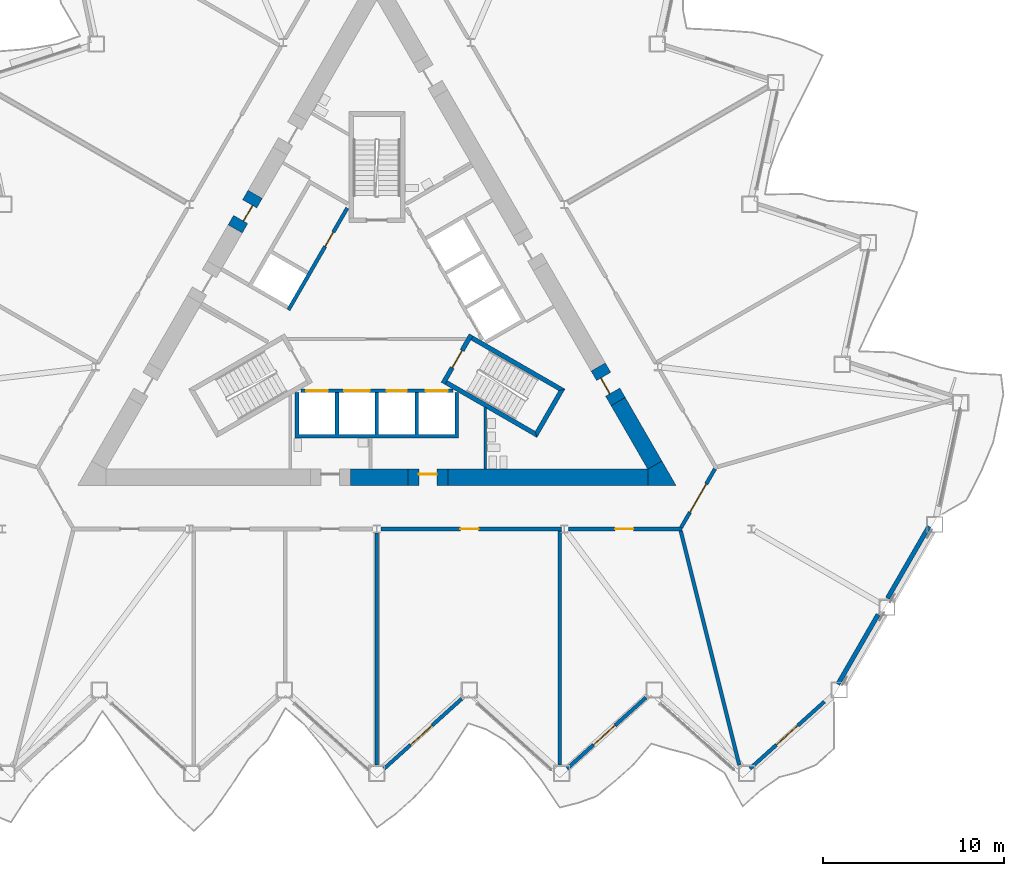
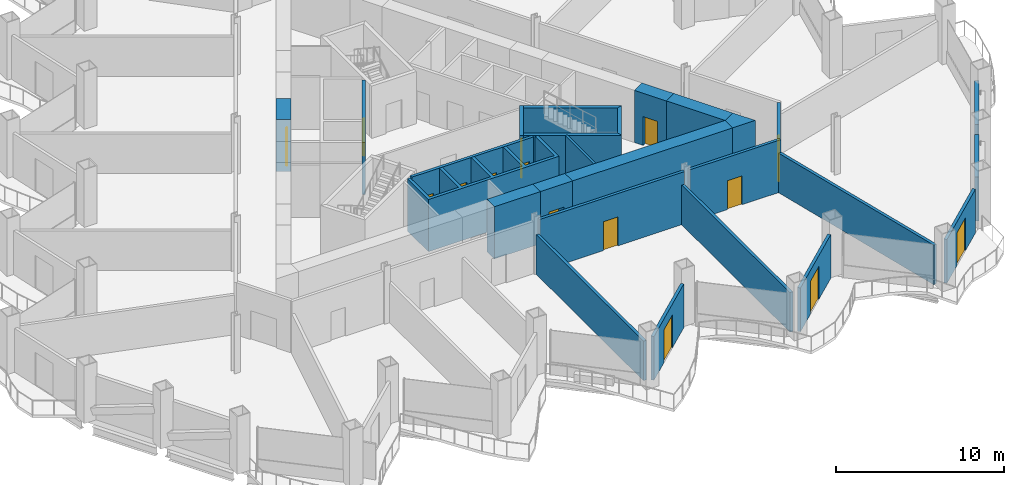
# One storey, part 11 of 21: 26 walls, 15 doors, 15 openings.
"""IFC4 building model written with IfcOpenShell, lengths in metres."""

from ifc_helpers import new_model, si_unit, direction, frame, frame_2d, origin, place, context, subcontext, project, spatial, polyline, rectangle, outline, extrude, material, layer, layer_set, type_object, element, fill, save


model = new_model("IFC4")

# Units and contexts
model_context = context("Model", 3, precision=1e-05, world=origin(), true_north=direction((0.0, 1.0)))
body_context = subcontext(model_context, "Body", "Model", "MODEL_VIEW")
ifc_project = project(units=[si_unit("LENGTHUNIT", "METRE"), si_unit("AREAUNIT", "SQUARE_METRE"), si_unit("VOLUMEUNIT", "CUBIC_METRE"), si_unit("PLANEANGLEUNIT", "RADIAN"), si_unit("MASSUNIT", "GRAM", prefix="KILO")], contexts=[model_context])

# Site, building, storey
site_placement = place(None, origin())
site = spatial("IfcSite", under=ifc_project, at=site_placement, CompositionType="ELEMENT")
building_placement = place(site_placement, origin())
building = spatial("IfcBuilding", under=site, at=building_placement, Name="Cormorant Prow Tower", CompositionType="ELEMENT")
storey_placement = place(building_placement, frame((0.0, 0.0, 129.0)))
storey = spatial("IfcBuildingStorey", under=building, at=storey_placement, Name="L27", CompositionType="ELEMENT", Elevation=129.0)

# Walls
ifc_material_1 = material(Name="Gypsum board partition")
ifc_layer_1 = layer(ifc_material_1, 0.14990234375)
ifc_layer_set_1 = layer_set([ifc_layer_1], Name="Gypsum board partition")
wall_type_1 = type_object("IfcWallType", Name="Core partition 150", PredefinedType="PARTITIONING", material=ifc_layer_set_1)
wall_1_placement = place(storey_placement, frame((5.9765625, -8.626220703125, 0.0), z_axis=(0.0, 0.0, 1.0), x_axis=(0.0, 1.0, 0.0)))
element("IfcWall", 1, at=wall_1_placement, inside=storey, type_object=wall_type_1, Name="Service room partition", PredefinedType="PARTITIONING", context=body_context, shape_type="SweptSolid", body=[
    extrude(rectangle(XDim=3.40283203125, YDim=0.14990234375, at=frame_2d((1.701416015625, 0.0))), origin(), (0.0, 0.0, 1.0), 3.800048828125),
])
ifc_material_2 = material(Name="Concrete 8000 psi", Category="concrete")
ifc_layer_2 = layer(ifc_material_2, 0.89990234375)
ifc_layer_set_2 = layer_set([ifc_layer_2], Name="Concrete 8000 psi")
wall_type_2 = type_object("IfcWallType", Name="Core shear wall 900", PredefinedType="SHEAR", material=ifc_layer_set_2)
wall_2_placement = place(storey_placement, frame((3.91259765625, -9.076416015625, 0.0), z_axis=(0.0, 0.0, 1.0), x_axis=(1.0, 0.0, 0.0)))
element("IfcWall", 2, at=wall_2_placement, inside=storey, type_object=wall_type_2, Name="Core wall", PredefinedType="SHEAR", context=body_context, shape_type="SweptSolid", body=[
    extrude(rectangle(XDim=11.028564453125, YDim=0.89990234375, at=frame_2d((5.51416015625, 0.0))), origin(), (0.0, 0.0, 1.0), 3.800048828125),
])
wall_3_placement = place(storey_placement, frame((-1.466064453125, -9.076416015625, 0.0), z_axis=(0.0, 0.0, 1.0), x_axis=(1.0, 0.0, 0.0)))
element("IfcWall", 3, at=wall_3_placement, inside=storey, type_object=wall_type_2, Name="Core wall", PredefinedType="SHEAR", context=body_context, shape_type="SweptSolid", body=[
    extrude(rectangle(XDim=3.1787109375, YDim=0.89990234375, at=frame_2d((1.58935546875, 0.0))), origin(), (0.0, 0.0, 1.0), 3.800048828125),
])
wall_4_placement = place(storey_placement, frame((15.330810546875, -8.4013671875, 0.0), z_axis=(0.0, 0.0, 1.0), x_axis=(-0.499974938593, 0.866039872511, 0.0)))
element("IfcWall", 4, at=wall_4_placement, inside=storey, type_object=wall_type_2, Name="Core wall", PredefinedType="SHEAR", context=body_context, shape_type="SweptSolid", body=[
    extrude(rectangle(XDim=4.045654296875, YDim=0.89990234375, at=frame_2d((2.02294921875, 0.0))), origin(), (0.0, 0.0, 1.0), 3.800048828125),
])
wall_5_placement = place(storey_placement, origin())
element("IfcWall", 5, at=wall_5_placement, inside=storey, type_object=wall_type_2, Name="Core wall corner", PredefinedType="SHEAR", context=body_context, shape_type="SweptSolid", body=[
    extrude(outline(polyline([(14.941162109375, -8.626220703125), (15.720703125, -8.17626953125), (16.5, -9.5263671875), (14.941162109375, -9.5263671875), (14.941162109375, -8.626220703125)])), origin(), (0.0, 0.0, 1.0), 3.800048828125),
])

# Wall, opening, door
wall_6_placement = place(storey_placement, frame((1.712646484375, -9.076416015625, 0.0), z_axis=(0.0, 0.0, 1.0), x_axis=(1.0, 0.0, 0.0)))
wall_6 = element("IfcWall", 6, at=wall_6_placement, inside=storey, type_object=wall_type_2, Name="Core wall door panel", PredefinedType="SHEAR", context=body_context, shape_type="SweptSolid", body=[
    extrude(rectangle(XDim=2.199951171875, YDim=0.89990234375, at=frame_2d((1.10009765625, 0.0))), origin(), (0.0, 0.0, 1.0), 3.800048828125),
])
opening_1_placement = place(wall_6_placement, frame((0.60009765625, 0.0, 0.0)))
opening_1 = element("IfcOpeningElement", 7, at=opening_1_placement, cuts=wall_6, Name="Opening L27-C15", PredefinedType="OPENING", context=body_context, shape_type="SweptSolid", body=[
    extrude(rectangle(XDim=1.0, YDim=2.10009765625, at=frame_2d((0.5, 1.050048828125))), frame((0.0, 0.4599609375, 0.0), z_axis=(0.0, -1.0, 0.0), x_axis=(1.0, 0.0, 0.0)), (0.0, 0.0, 1.0), 0.919921875),
])
ifc_material_3 = material(Name="Painted steel", Category="steel")
door_type_1 = type_object("IfcDoorType", Name="Service door 1000x2100", OperationType="NOTDEFINED", PredefinedType="DOOR", material=ifc_material_3)
door_1_placement = place(opening_1_placement, origin())
door_1 = element("IfcDoor", 8, at=door_1_placement, inside=storey, type_object=door_type_1, Name="Core door, Electrical room", OperationType="SINGLE_SWING_LEFT", OverallHeight=2.10009765625, OverallWidth=1.0, PredefinedType="DOOR", context=body_context, shape_type="SweptSolid", body=[
    extrude(rectangle(XDim=1.0, YDim=2.10009765625, at=frame_2d((0.5, 1.050048828125))), frame((0.0, 0.205078125, 0.0), z_axis=(0.0, -1.0, 0.0), x_axis=(1.0, 0.0, 0.0)), (0.0, 0.0, 1.0), 0.050048828125),
])
fill(opening_1, door_1)

wall_7_placement = place(storey_placement, frame((13.30810546875, -4.897705078125, 0.0), z_axis=(0.0, 0.0, 1.0), x_axis=(-0.50002983664, 0.866008176907, 0.0)))
wall_7 = element("IfcWall", 9, at=wall_7_placement, inside=storey, type_object=wall_type_2, Name="Core wall door panel", PredefinedType="SHEAR", context=body_context, shape_type="SweptSolid", body=[
    extrude(rectangle(XDim=2.199951171875, YDim=0.89990234375, at=frame_2d((1.10009765625, 0.0))), origin(), (0.0, 0.0, 1.0), 3.800048828125),
])
opening_2_placement = place(wall_7_placement, frame((0.60009765625, 0.0, 0.0)))
opening_2 = element("IfcOpeningElement", 10, at=opening_2_placement, cuts=wall_7, Name="Opening L27-C17", PredefinedType="OPENING", context=body_context, shape_type="SweptSolid", body=[
    extrude(rectangle(XDim=1.0, YDim=2.10009765625, at=frame_2d((0.5, 1.050048828125))), frame((0.0, 0.4599609375, 0.0), z_axis=(0.0, -1.0, 0.0), x_axis=(1.0, 0.0, 0.0)), (0.0, 0.0, 1.0), 0.919921875),
])
door_2_placement = place(opening_2_placement, origin())
door_2 = element("IfcDoor", 11, at=door_2_placement, inside=storey, type_object=door_type_1, Name="Core door, Toilets (women) L27", OperationType="SINGLE_SWING_LEFT", OverallHeight=2.10009765625, OverallWidth=1.0, PredefinedType="DOOR", context=body_context, shape_type="SweptSolid", body=[
    extrude(rectangle(XDim=1.0, YDim=2.10009765625, at=frame_2d((0.5, 1.050048828125))), frame((0.0, 0.205078125, 0.0), z_axis=(0.0, -1.0, 0.0), x_axis=(1.0, 0.0, 0.0)), (0.0, 0.0, 1.0), 0.050048828125),
])
fill(opening_2, door_2)

wall_8_placement = place(storey_placement, frame((-6.710205078125, 6.530029296875, 0.0), z_axis=(0.0, 0.0, 1.0), x_axis=(-0.50002983664, -0.866008176907, 0.0)))
wall_8 = element("IfcWall", 12, at=wall_8_placement, inside=storey, type_object=wall_type_2, Name="Core wall door panel", PredefinedType="SHEAR", context=body_context, shape_type="SweptSolid", body=[
    extrude(rectangle(XDim=2.199951171875, YDim=0.89990234375, at=frame_2d((1.10009765625, 0.0))), origin(), (0.0, 0.0, 1.0), 3.800048828125),
])
opening_3_placement = place(wall_8_placement, frame((0.60009765625, 0.0, 0.0)))
opening_3 = element("IfcOpeningElement", 13, at=opening_3_placement, cuts=wall_8, Name="Opening L27-C19", PredefinedType="OPENING", context=body_context, shape_type="SweptSolid", body=[
    extrude(rectangle(XDim=1.0, YDim=2.10009765625, at=frame_2d((0.5, 1.050048828125))), frame((0.0, 0.4599609375, 0.0), z_axis=(0.0, -1.0, 0.0), x_axis=(1.0, 0.0, 0.0)), (0.0, 0.0, 1.0), 0.919921875),
])
door_3_placement = place(opening_3_placement, origin())
door_3 = element("IfcDoor", 14, at=door_3_placement, inside=storey, type_object=door_type_1, Name="Core door, Electrical room", OperationType="SINGLE_SWING_RIGHT", OverallHeight=2.10009765625, OverallWidth=1.0, PredefinedType="DOOR", context=body_context, shape_type="SweptSolid", body=[
    extrude(rectangle(XDim=1.0, YDim=2.10009765625, at=frame_2d((0.5, 1.050048828125))), frame((0.0, 0.205078125, 0.0), z_axis=(0.0, -1.0, 0.0), x_axis=(1.0, 0.0, 0.0)), (0.0, 0.0, 1.0), 0.050048828125),
])
fill(opening_3, door_3)

ifc_material_4 = material(Name="Gypsum board corridor wall")
ifc_layer_3 = layer(ifc_material_4, 0.199951171875)
ifc_layer_set_3 = layer_set([ifc_layer_3], Name="Gypsum board corridor wall")
wall_type_3 = type_object("IfcWallType", Name="Corridor wall 200", PredefinedType="PARTITIONING", material=ifc_layer_set_3)
wall_9_placement = place(storey_placement, frame((0.227294921875, -11.92626953125, 0.0), z_axis=(0.0, 0.0, 1.0), x_axis=(1.0, 0.0, 0.0)))
wall_9 = element("IfcWall", 15, at=wall_9_placement, inside=storey, type_object=wall_type_3, Name="Corridor wall", PredefinedType="PARTITIONING", context=body_context, shape_type="SweptSolid", body=[
    extrude(rectangle(XDim=9.969482421875, YDim=0.199951171875, at=frame_2d((4.98486328125, 0.0))), origin(), (0.0, 0.0, 1.0), 3.800048828125),
])
opening_4_placement = place(wall_9_placement, frame((4.3837890625, 0.0, 0.0)))
opening_4 = element("IfcOpeningElement", 16, at=opening_4_placement, cuts=wall_9, Name="Opening L27-F04", PredefinedType="OPENING", context=body_context, shape_type="SweptSolid", body=[
    extrude(rectangle(XDim=1.0, YDim=2.10009765625, at=frame_2d((0.5, 1.050048828125))), frame((0.0, 0.10986328125, 0.0), z_axis=(0.0, -1.0, 0.0), x_axis=(1.0, 0.0, 0.0)), (0.0, 0.0, 1.0), 0.219970703125),
])
ifc_material_5 = material(Name="Timber door leaf", Category="wood")
door_type_2 = type_object("IfcDoorType", Name="Office door 1000x2100", OperationType="NOTDEFINED", PredefinedType="DOOR", material=ifc_material_5)
door_4_placement = place(opening_4_placement, origin())
door_4 = element("IfcDoor", 17, at=door_4_placement, inside=storey, type_object=door_type_2, Name="Tenant suite door", OperationType="SINGLE_SWING_LEFT", OverallHeight=2.10009765625, OverallWidth=1.0, PredefinedType="DOOR", context=body_context, shape_type="SweptSolid", body=[
    extrude(rectangle(XDim=1.0, YDim=2.10009765625, at=frame_2d((0.5, 1.050048828125))), frame((0.0, 0.02490234375, 0.0), z_axis=(0.0, -1.0, 0.0), x_axis=(1.0, 0.0, 0.0)), (0.0, 0.0, 1.0), 0.050048828125),
])
fill(opening_4, door_4)

wall_10_placement = place(storey_placement, frame((10.555908203125, -11.92626953125, 0.0), z_axis=(0.0, 0.0, 1.0), x_axis=(1.0, 0.0, 0.0)))
wall_10 = element("IfcWall", 18, at=wall_10_placement, inside=storey, type_object=wall_type_3, Name="Corridor wall", PredefinedType="PARTITIONING", context=body_context, shape_type="SweptSolid", body=[
    extrude(rectangle(XDim=6.27490234375, YDim=0.199951171875, at=frame_2d((3.137451171875, 0.0))), origin(), (0.0, 0.0, 1.0), 3.800048828125),
])
opening_5_placement = place(wall_10_placement, frame((2.586669921875, 0.0, 0.0)))
opening_5 = element("IfcOpeningElement", 19, at=opening_5_placement, cuts=wall_10, Name="Opening L27-F05", PredefinedType="OPENING", context=body_context, shape_type="SweptSolid", body=[
    extrude(rectangle(XDim=1.0, YDim=2.10009765625, at=frame_2d((0.5, 1.050048828125))), frame((0.0, 0.10986328125, 0.0), z_axis=(0.0, -1.0, 0.0), x_axis=(1.0, 0.0, 0.0)), (0.0, 0.0, 1.0), 0.219970703125),
])
door_5_placement = place(opening_5_placement, origin())
door_5 = element("IfcDoor", 20, at=door_5_placement, inside=storey, type_object=door_type_2, Name="Tenant suite door", OperationType="SINGLE_SWING_LEFT", OverallHeight=2.10009765625, OverallWidth=1.0, PredefinedType="DOOR", context=body_context, shape_type="SweptSolid", body=[
    extrude(rectangle(XDim=1.0, YDim=2.10009765625, at=frame_2d((0.5, 1.050048828125))), frame((0.0, 0.02490234375, 0.0), z_axis=(0.0, -1.0, 0.0), x_axis=(1.0, 0.0, 0.0)), (0.0, 0.0, 1.0), 0.050048828125),
])
fill(opening_5, door_5)

wall_11_placement = place(storey_placement, frame((16.781005859375, -11.839599609375, 0.0), z_axis=(0.0, 0.0, 1.0), x_axis=(0.499958791762, 0.866049194065, 0.0)))
wall_11 = element("IfcWall", 21, at=wall_11_placement, inside=storey, type_object=wall_type_3, Name="Corridor wall", PredefinedType="PARTITIONING", context=body_context, shape_type="SweptSolid", body=[
    extrude(rectangle(XDim=3.725830078125, YDim=0.199951171875, at=frame_2d((1.86279296875, 0.0))), origin(), (0.0, 0.0, 1.0), 3.800048828125),
])
opening_6_placement = place(wall_11_placement, frame((0.962890625, 0.0, 0.0)))
opening_6 = element("IfcOpeningElement", 22, at=opening_6_placement, cuts=wall_11, Name="Opening L27-F06", PredefinedType="OPENING", context=body_context, shape_type="SweptSolid", body=[
    extrude(rectangle(XDim=1.800048828125, YDim=2.10009765625, at=frame_2d((0.89990234375, 1.050048828125))), frame((0.0, 0.10986328125, 0.0), z_axis=(0.0, -1.0, 0.0), x_axis=(1.0, 0.0, 0.0)), (0.0, 0.0, 1.0), 0.219970703125),
])
ifc_material_6 = material(Name="Timber door leaf", Category="wood")
door_type_3 = type_object("IfcDoorType", Name="Double door 1800x2100", OperationType="DOUBLE_DOOR_SINGLE_SWING", PredefinedType="DOOR", material=ifc_material_6)
door_6_placement = place(opening_6_placement, origin())
door_6 = element("IfcDoor", 23, at=door_6_placement, inside=storey, type_object=door_type_3, Name="Trading room door", OperationType="DOUBLE_DOOR_SINGLE_SWING", OverallHeight=2.10009765625, OverallWidth=1.800048828125, PredefinedType="DOOR", context=body_context, shape_type="SweptSolid", body=[
    extrude(rectangle(XDim=1.800048828125, YDim=2.10009765625, at=frame_2d((0.89990234375, 1.050048828125))), frame((0.0, 0.02490234375, 0.0), z_axis=(0.0, -1.0, 0.0), x_axis=(1.0, 0.0, 0.0)), (0.0, 0.0, 1.0), 0.050048828125),
])
fill(opening_6, door_6)

# Walls
ifc_material_7 = material(Name="Gypsum board demising wall")
ifc_layer_4 = layer(ifc_material_7, 0.199951171875)
ifc_layer_set_4 = layer_set([ifc_layer_4], Name="Gypsum board demising wall")
wall_type_4 = type_object("IfcWallType", Name="Demising wall 200", PredefinedType="PARTITIONING", material=ifc_layer_set_4)
wall_12_placement = place(storey_placement, frame((16.755126953125, -12.023193359375, 0.0), z_axis=(0.0, 0.0, 1.0), x_axis=(0.242708204495, -0.97009933897, 0.0)))
element("IfcWall", 24, at=wall_12_placement, inside=storey, type_object=wall_type_4, Name="Demising wall", PredefinedType="PARTITIONING", context=body_context, shape_type="SweptSolid", body=[
    extrude(rectangle(XDim=13.314208984375, YDim=0.199951171875, at=frame_2d((6.6572265625, 0.0))), origin(), (0.0, 0.0, 1.0), 2.88525390625),
])
wall_13_placement = place(storey_placement, frame((10.0869140625, -24.939208984375, 0.0), z_axis=(0.0, 0.0, 1.0), x_axis=(0.0, 1.0, 0.0)))
element("IfcWall", 25, at=wall_13_placement, inside=storey, type_object=wall_type_4, Name="Demising wall", PredefinedType="PARTITIONING", context=body_context, shape_type="SweptSolid", body=[
    extrude(rectangle(XDim=12.912841796875, YDim=0.199951171875, at=frame_2d((6.45654296875, 0.0))), origin(), (0.0, 0.0, 1.0), 2.88525390625),
])
wall_14_placement = place(storey_placement, frame((0.0, -24.939208984375, 0.0), z_axis=(0.0, 0.0, 1.0), x_axis=(0.0, 1.0, 0.0)))
element("IfcWall", 26, at=wall_14_placement, inside=storey, type_object=wall_type_4, Name="Demising wall", PredefinedType="PARTITIONING", context=body_context, shape_type="SweptSolid", body=[
    extrude(rectangle(XDim=12.785400390625, YDim=0.199951171875, at=frame_2d((6.392578125, 0.0))), origin(), (0.0, 0.0, 1.0), 2.88525390625),
])

# Wall, openings, doors
ifc_material_8 = material(Name="Concrete 5000 psi", Category="concrete")
ifc_layer_5 = layer(ifc_material_8, 0.199951171875)
ifc_layer_set_5 = layer_set([ifc_layer_5], Name="Concrete 5000 psi")
wall_type_5 = type_object("IfcWallType", Name="Lift lobby wall 200", PredefinedType="SOLIDWALL", material=ifc_layer_set_5)
wall_15_placement = place(storey_placement, frame((-4.1865234375, -4.300048828125, 0.0), z_axis=(0.0, 0.0, 1.0), x_axis=(1.0, 0.0, 0.0)))
wall_15 = element("IfcWall", 27, at=wall_15_placement, inside=storey, type_object=wall_type_5, Name="Lift lobby wall, S block", PredefinedType="SOLIDWALL", context=body_context, shape_type="SweptSolid", body=[
    extrude(rectangle(XDim=8.373046875, YDim=0.199951171875, at=frame_2d((4.1865234375, 0.0))), origin(), (0.0, 0.0, 1.0), 3.800048828125),
])
opening_7_placement = place(wall_15_placement, frame((0.28662109375, 0.0, 0.0)))
opening_7 = element("IfcOpeningElement", 28, at=opening_7_placement, cuts=wall_15, Name="Opening L27-C01", PredefinedType="OPENING", context=body_context, shape_type="SweptSolid", body=[
    extrude(rectangle(XDim=1.199951171875, YDim=2.10009765625, at=frame_2d((0.60009765625, 1.050048828125))), frame((0.0, 0.10986328125, 0.0), z_axis=(0.0, -1.0, 0.0), x_axis=(1.0, 0.0, 0.0)), (0.0, 0.0, 1.0), 0.219970703125),
])
opening_8_placement = place(wall_15_placement, frame((2.38671875, 0.0, 0.0)))
opening_8 = element("IfcOpeningElement", 29, at=opening_8_placement, cuts=wall_15, Name="Opening L27-C02", PredefinedType="OPENING", context=body_context, shape_type="SweptSolid", body=[
    extrude(rectangle(XDim=1.39990234375, YDim=2.10009765625, at=frame_2d((0.699951171875, 1.050048828125))), frame((0.0, 0.10986328125, 0.0), z_axis=(0.0, -1.0, 0.0), x_axis=(1.0, 0.0, 0.0)), (0.0, 0.0, 1.0), 0.219970703125),
])
opening_9_placement = place(wall_15_placement, frame((4.736572265625, 0.0, 0.0)))
opening_9 = element("IfcOpeningElement", 30, at=opening_9_placement, cuts=wall_15, Name="Opening L27-C03", PredefinedType="OPENING", context=body_context, shape_type="SweptSolid", body=[
    extrude(rectangle(XDim=1.10009765625, YDim=2.10009765625, at=frame_2d((0.550048828125, 1.050048828125))), frame((0.0, 0.10986328125, 0.0), z_axis=(0.0, -1.0, 0.0), x_axis=(1.0, 0.0, 0.0)), (0.0, 0.0, 1.0), 0.219970703125),
])
opening_10_placement = place(wall_15_placement, frame((6.88671875, 0.0, 0.0)))
opening_10 = element("IfcOpeningElement", 31, at=opening_10_placement, cuts=wall_15, Name="Opening L27-C04", PredefinedType="OPENING", context=body_context, shape_type="SweptSolid", body=[
    extrude(rectangle(XDim=1.199951171875, YDim=2.10009765625, at=frame_2d((0.60009765625, 1.050048828125))), frame((0.0, 0.10986328125, 0.0), z_axis=(0.0, -1.0, 0.0), x_axis=(1.0, 0.0, 0.0)), (0.0, 0.0, 1.0), 0.219970703125),
])
ifc_material_9 = material(Name="Painted steel", Category="steel")
door_type_4 = type_object("IfcDoorType", Name="Firefighting lift landing door 1200x2100", OperationType="SLIDING_TO_LEFT", PredefinedType="DOOR", material=ifc_material_9)
door_7_placement = place(opening_7_placement, origin())
door_7 = element("IfcDoor", 32, at=door_7_placement, inside=storey, type_object=door_type_4, Name="Landing door FL1", OperationType="SLIDING_TO_LEFT", OverallHeight=2.10009765625, OverallWidth=1.199951171875, PredefinedType="DOOR", context=body_context, shape_type="SweptSolid", body=[
    extrude(rectangle(XDim=1.199951171875, YDim=2.10009765625, at=frame_2d((0.60009765625, 1.050048828125))), frame((0.0, 0.02490234375, 0.0), z_axis=(0.0, -1.0, 0.0), x_axis=(1.0, 0.0, 0.0)), (0.0, 0.0, 1.0), 0.050048828125),
])
fill(opening_7, door_7)
door_8_placement = place(opening_10_placement, origin())
door_8 = element("IfcDoor", 33, at=door_8_placement, inside=storey, type_object=door_type_4, Name="Landing door FL2", OperationType="SLIDING_TO_LEFT", OverallHeight=2.10009765625, OverallWidth=1.199951171875, PredefinedType="DOOR", context=body_context, shape_type="SweptSolid", body=[
    extrude(rectangle(XDim=1.199951171875, YDim=2.10009765625, at=frame_2d((0.60009765625, 1.050048828125))), frame((0.0, 0.02490234375, 0.0), z_axis=(0.0, -1.0, 0.0), x_axis=(1.0, 0.0, 0.0)), (0.0, 0.0, 1.0), 0.050048828125),
])
fill(opening_10, door_8)
ifc_material_10 = material(Name="Painted steel", Category="steel")
door_type_5 = type_object("IfcDoorType", Name="Lift landing door 1100x2100", OperationType="SLIDING_TO_LEFT", PredefinedType="DOOR", material=ifc_material_10)
door_9_placement = place(opening_9_placement, origin())
door_9 = element("IfcDoor", 34, at=door_9_placement, inside=storey, type_object=door_type_5, Name="Landing door LR1", OperationType="SLIDING_TO_LEFT", OverallHeight=2.10009765625, OverallWidth=1.10009765625, PredefinedType="DOOR", context=body_context, shape_type="SweptSolid", body=[
    extrude(rectangle(XDim=1.10009765625, YDim=2.10009765625, at=frame_2d((0.550048828125, 1.050048828125))), frame((0.0, 0.02490234375, 0.0), z_axis=(0.0, -1.0, 0.0), x_axis=(1.0, 0.0, 0.0)), (0.0, 0.0, 1.0), 0.050048828125),
])
fill(opening_9, door_9)
ifc_material_11 = material(Name="Painted steel", Category="steel")
door_type_6 = type_object("IfcDoorType", Name="Service lift landing door 1400x2100", OperationType="SLIDING_TO_LEFT", PredefinedType="DOOR", material=ifc_material_11)
door_10_placement = place(opening_8_placement, origin())
door_10 = element("IfcDoor", 35, at=door_10_placement, inside=storey, type_object=door_type_6, Name="Landing door SL1", OperationType="SLIDING_TO_LEFT", OverallHeight=2.10009765625, OverallWidth=1.39990234375, PredefinedType="DOOR", context=body_context, shape_type="SweptSolid", body=[
    extrude(rectangle(XDim=1.39990234375, YDim=2.10009765625, at=frame_2d((0.699951171875, 1.050048828125))), frame((0.0, 0.02490234375, 0.0), z_axis=(0.0, -1.0, 0.0), x_axis=(1.0, 0.0, 0.0)), (0.0, 0.0, 1.0), 0.050048828125),
])
fill(opening_8, door_10)

# Wall, opening, door
wall_16_placement = place(storey_placement, frame((-1.630615234375, 5.775634765625, 0.0), z_axis=(0.0, 0.0, 1.0), x_axis=(-0.499992876559, -0.866029516466, 0.0)))
wall_16 = element("IfcWall", 36, at=wall_16_placement, inside=storey, type_object=wall_type_5, Name="Lift lobby wall, WNW block", PredefinedType="SOLIDWALL", context=body_context, shape_type="SweptSolid", body=[
    extrude(rectangle(XDim=6.486328125, YDim=0.199951171875, at=frame_2d((3.2431640625, 0.0))), origin(), (0.0, 0.0, 1.0), 3.800048828125),
])
opening_11_placement = place(wall_16_placement, frame((1.53662109375, 0.0, 0.0)))
opening_11 = element("IfcOpeningElement", 37, at=opening_11_placement, cuts=wall_16, Name="Opening L27-C09", PredefinedType="OPENING", context=body_context, shape_type="SweptSolid", body=[
    extrude(rectangle(XDim=0.89990234375, YDim=2.10009765625, at=frame_2d((0.449951171875, 1.050048828125))), frame((0.0, 0.10986328125, 0.0), z_axis=(0.0, -1.0, 0.0), x_axis=(1.0, 0.0, 0.0)), (0.0, 0.0, 1.0), 0.219970703125),
])
ifc_material_12 = material(Name="Painted steel", Category="steel")
door_type_7 = type_object("IfcDoorType", Name="Service door 900x2100", OperationType="NOTDEFINED", PredefinedType="DOOR", material=ifc_material_12)
door_11_placement = place(opening_11_placement, origin())
door_11 = element("IfcDoor", 38, at=door_11_placement, inside=storey, type_object=door_type_7, Name="Service door, Pantry store", OperationType="SINGLE_SWING_LEFT", OverallHeight=2.10009765625, OverallWidth=0.89990234375, PredefinedType="DOOR", context=body_context, shape_type="SweptSolid", body=[
    extrude(rectangle(XDim=0.89990234375, YDim=2.10009765625, at=frame_2d((0.449951171875, 1.050048828125))), frame((0.0, 0.02490234375, 0.0), z_axis=(0.0, -1.0, 0.0), x_axis=(1.0, 0.0, 0.0)), (0.0, 0.0, 1.0), 0.050048828125),
])
fill(opening_11, door_11)

# Walls
ifc_material_13 = material(Name="Concrete 8000 psi", Category="concrete")
ifc_layer_6 = layer(ifc_material_13, 0.199951171875)
ifc_layer_set_6 = layer_set([ifc_layer_6], Name="Concrete 8000 psi")
wall_type_6 = type_object("IfcWallType", Name="Lift shaft wall 200", PredefinedType="SHEAR", material=ifc_layer_set_6)
wall_17_placement = place(storey_placement, origin())
element("IfcWall", 39, at=wall_17_placement, inside=storey, type_object=wall_type_6, Name="Lift shaft walls, S block", PredefinedType="SHEAR", context=body_context, shape_type="SweptSolid", body=[
    extrude(outline(polyline([(4.5, -4.39990234375), (4.5, -6.906005859375), (-4.5, -6.906005859375), (-4.5, -4.39990234375), (-4.300048828125, -4.39990234375), (-4.300048828125, -6.699951171875), (-2.300048828125, -6.699951171875), (-2.300048828125, -4.39990234375), (-2.10009765625, -4.39990234375), (-2.10009765625, -6.699951171875), (-0.10009765625, -6.699951171875), (-0.10009765625, -4.39990234375), (0.10009765625, -4.39990234375), (0.10009765625, -6.699951171875), (2.10009765625, -6.699951171875), (2.10009765625, -4.39990234375), (2.300048828125, -4.39990234375), (2.300048828125, -6.699951171875), (4.300048828125, -6.699951171875), (4.300048828125, -4.39990234375), (4.5, -4.39990234375)])), origin(), (0.0, 0.0, 1.0), 3.800048828125),
])
ifc_material_14 = material(Name="Concrete 8000 psi", Category="concrete")
ifc_layer_7 = layer(ifc_material_14, 0.25)
ifc_layer_set_7 = layer_set([ifc_layer_7], Name="Concrete 8000 psi")
wall_type_7 = type_object("IfcWallType", Name="Stair wall 250", PredefinedType="SHEAR", material=ifc_layer_set_7)
wall_18_placement = place(storey_placement, origin())
element("IfcWall", 40, at=wall_18_placement, inside=storey, type_object=wall_type_7, Name="Stair ST2 enclosure wall (flank)", PredefinedType="SHEAR", context=body_context, shape_type="SweptSolid", body=[
    extrude(outline(polyline([(3.76318359375, -3.95556640625), (8.82958984375, -6.880615234375), (8.738037109375, -6.5390625), (3.88818359375, -3.739013671875), (3.76318359375, -3.95556640625)])), origin(), (0.0, 0.0, 1.0), 3.800048828125),
])
wall_19_placement = place(storey_placement, origin())
element("IfcWall", 41, at=wall_19_placement, inside=storey, type_object=wall_type_7, Name="Stair ST2 enclosure wall (end)", PredefinedType="SHEAR", context=body_context, shape_type="SweptSolid", body=[
    extrude(outline(polyline([(8.82958984375, -6.880615234375), (10.37353515625, -4.206298828125), (10.031982421875, -4.2978515625), (8.738037109375, -6.5390625), (8.82958984375, -6.880615234375)])), origin(), (0.0, 0.0, 1.0), 3.800048828125),
])
wall_20_placement = place(storey_placement, origin())
element("IfcWall", 42, at=wall_20_placement, inside=storey, type_object=wall_type_7, Name="Stair ST2 enclosure wall (flank)", PredefinedType="SHEAR", context=body_context, shape_type="SweptSolid", body=[
    extrude(outline(polyline([(10.031982421875, -4.2978515625), (10.37353515625, -4.206298828125), (5.30712890625, -1.28125), (5.18212890625, -1.497802734375), (10.031982421875, -4.2978515625)])), origin(), (0.0, 0.0, 1.0), 3.800048828125),
])

# Wall, opening, door
wall_21_placement = place(storey_placement, frame((3.655029296875, -3.89306640625, 0.0), z_axis=(0.0, 0.0, 1.0), x_axis=(0.499982516597, 0.866035497597, 0.0)))
wall_21 = element("IfcWall", 43, at=wall_21_placement, inside=storey, type_object=wall_type_7, Name="Stair ST2 door wall", PredefinedType="SHEAR", context=body_context, shape_type="SweptSolid", body=[
    extrude(rectangle(XDim=3.087890625, YDim=0.25, at=frame_2d((1.5439453125, 0.0))), origin(), (0.0, 0.0, 1.0), 3.800048828125),
])
opening_12_placement = place(wall_21_placement, frame((0.993896484375, 0.0, 0.0)))
opening_12 = element("IfcOpeningElement", 44, at=opening_12_placement, cuts=wall_21, Name="Opening L27-C12", PredefinedType="OPENING", context=body_context, shape_type="SweptSolid", body=[
    extrude(rectangle(XDim=1.10009765625, YDim=2.10009765625, at=frame_2d((0.550048828125, 1.050048828125))), frame((0.0, 0.135009765625, 0.0), z_axis=(0.0, -1.0, 0.0), x_axis=(1.0, 0.0, 0.0)), (0.0, 0.0, 1.0), 0.27001953125),
])
ifc_material_15 = material(Name="Painted steel", Category="steel")
door_type_8 = type_object("IfcDoorType", Name="Stair door 1100x2100", OperationType="NOTDEFINED", PredefinedType="DOOR", material=ifc_material_15)
door_12_placement = place(opening_12_placement, origin())
door_12 = element("IfcDoor", 45, at=door_12_placement, inside=storey, type_object=door_type_8, Name="Stair ST2 door", OperationType="SINGLE_SWING_RIGHT", OverallHeight=2.10009765625, OverallWidth=1.10009765625, PredefinedType="DOOR", context=body_context, shape_type="SweptSolid", body=[
    extrude(rectangle(XDim=1.10009765625, YDim=2.10009765625, at=frame_2d((0.550048828125, 1.050048828125))), frame((0.0, 0.02490234375, 0.0), z_axis=(0.0, -1.0, 0.0), x_axis=(1.0, 0.0, 0.0)), (0.0, 0.0, 1.0), 0.050048828125),
])
fill(opening_12, door_12)

# Walls
ifc_material_16 = material(Name="Terracotta", Category="masonry")
ifc_layer_8 = layer(ifc_material_16, 0.25)
ifc_layer_set_8 = layer_set([ifc_layer_8], Name="Terracotta")
wall_type_8 = type_object("IfcWallType", Name="Terracotta bay wall 250", PredefinedType="SOLIDWALL", material=ifc_layer_set_8)
wall_22_placement = place(storey_placement, frame((25.4267578125, -20.482666015625, 0.0), z_axis=(0.0, 0.0, 1.0), x_axis=(0.499968989506, 0.866043306961, 0.0)))
element("IfcWall", 46, at=wall_22_placement, inside=storey, type_object=wall_type_8, Name="Terracotta bay wall ESE00", PredefinedType="SOLIDWALL", context=body_context, shape_type="SweptSolid", body=[
    extrude(rectangle(XDim=4.428955078125, YDim=0.25, at=frame_2d((2.21435546875, 0.0))), origin(), (0.0, 0.0, 1.0), 3.18896484375),
])
wall_23_placement = place(storey_placement, frame((28.162841796875, -15.743408203125, 0.0), z_axis=(0.0, 0.0, 1.0), x_axis=(0.500016357846, 0.866015959371, 0.0)))
element("IfcWall", 47, at=wall_23_placement, inside=storey, type_object=wall_type_8, Name="Terracotta bay wall ESE01", PredefinedType="SOLIDWALL", context=body_context, shape_type="SweptSolid", body=[
    extrude(rectangle(XDim=4.577880859375, YDim=0.25, at=frame_2d((2.2890625, 0.0))), origin(), (0.0, 0.0, 1.0), 3.18896484375),
])

# Wall, opening, door
ifc_material_17 = material(Name="Terracotta", Category="masonry")
ifc_layer_9 = layer(ifc_material_17, 0.199951171875)
ifc_layer_set_9 = layer_set([ifc_layer_9], Name="Terracotta")
wall_type_9 = type_object("IfcWallType", Name="Terracotta jamb wall 200", PredefinedType="SOLIDWALL", material=ifc_layer_set_9)
wall_24_placement = place(storey_placement, frame((0.40576171875, -25.13720703125, 0.0), z_axis=(0.0, 0.0, 1.0), x_axis=(0.743135897471, 0.669140521782, 0.0)))
wall_24 = element("IfcWall", 48, at=wall_24_placement, inside=storey, type_object=wall_type_9, Name="Terracotta jamb wall S05", PredefinedType="SOLIDWALL", context=body_context, shape_type="SweptSolid", body=[
    extrude(rectangle(XDim=5.754150390625, YDim=0.199951171875, at=frame_2d((2.876953125, 0.0))), origin(), (0.0, 0.0, 1.0), 3.18896484375),
])
opening_13_placement = place(wall_24_placement, frame((1.957275390625, 0.0, 0.0)))
opening_13 = element("IfcOpeningElement", 49, at=opening_13_placement, cuts=wall_24, Name="Opening ED27.03", PredefinedType="OPENING", context=body_context, shape_type="SweptSolid", body=[
    extrude(rectangle(XDim=1.60009765625, YDim=2.39990234375, at=frame_2d((0.800048828125, 1.199951171875))), frame((0.0, 0.10986328125, 0.0), z_axis=(0.0, -1.0, 0.0), x_axis=(1.0, 0.0, 0.0)), (0.0, 0.0, 1.0), 0.219970703125),
])
ifc_material_18 = material(Name="Aluminium 6063-T6", Category="aluminium")
door_type_9 = type_object("IfcDoorType", Name="Balcony door 1600x2400", OperationType="DOUBLE_DOOR_SINGLE_SWING", PredefinedType="DOOR", material=ifc_material_18)
door_13_placement = place(opening_13_placement, origin())
door_13 = element("IfcDoor", 50, at=door_13_placement, inside=storey, type_object=door_type_9, Name="Balcony door S05 ED27.03", OperationType="DOUBLE_DOOR_SINGLE_SWING", OverallHeight=2.39990234375, OverallWidth=1.60009765625, PredefinedType="DOOR", context=body_context, shape_type="SweptSolid", body=[
    extrude(rectangle(XDim=1.60009765625, YDim=2.39990234375, at=frame_2d((0.800048828125, 1.199951171875))), frame((0.0, 0.02490234375, 0.0), z_axis=(0.0, -1.0, 0.0), x_axis=(1.0, 0.0, 0.0)), (0.0, 0.0, 1.0), 0.050048828125),
])
fill(opening_13, door_13)

wall_25_placement = place(storey_placement, frame((10.492431640625, -25.13720703125, 0.0), z_axis=(0.0, 0.0, 1.0), x_axis=(0.743136230799, 0.669140151593, 0.0)))
wall_25 = element("IfcWall", 51, at=wall_25_placement, inside=storey, type_object=wall_type_9, Name="Terracotta jamb wall S07", PredefinedType="SOLIDWALL", context=body_context, shape_type="SweptSolid", body=[
    extrude(rectangle(XDim=5.84326171875, YDim=0.199951171875, at=frame_2d((2.921630859375, 0.0))), origin(), (0.0, 0.0, 1.0), 3.18896484375),
])
opening_14_placement = place(wall_25_placement, frame((1.957275390625, 0.0, 0.0)))
opening_14 = element("IfcOpeningElement", 52, at=opening_14_placement, cuts=wall_25, Name="Opening ED27.04", PredefinedType="OPENING", context=body_context, shape_type="SweptSolid", body=[
    extrude(rectangle(XDim=1.60009765625, YDim=2.39990234375, at=frame_2d((0.800048828125, 1.199951171875))), frame((0.0, 0.10986328125, 0.0), z_axis=(0.0, -1.0, 0.0), x_axis=(1.0, 0.0, 0.0)), (0.0, 0.0, 1.0), 0.219970703125),
])
door_14_placement = place(opening_14_placement, origin())
door_14 = element("IfcDoor", 53, at=door_14_placement, inside=storey, type_object=door_type_9, Name="Balcony door S07 ED27.04", OperationType="DOUBLE_DOOR_SINGLE_SWING", OverallHeight=2.39990234375, OverallWidth=1.60009765625, PredefinedType="DOOR", context=body_context, shape_type="SweptSolid", body=[
    extrude(rectangle(XDim=1.60009765625, YDim=2.39990234375, at=frame_2d((0.800048828125, 1.199951171875))), frame((0.0, 0.02490234375, 0.0), z_axis=(0.0, -1.0, 0.0), x_axis=(1.0, 0.0, 0.0)), (0.0, 0.0, 1.0), 0.050048828125),
])
fill(opening_14, door_14)

wall_26_placement = place(storey_placement, frame((20.579345703125, -25.13720703125, 0.0), z_axis=(0.0, 0.0, 1.0), x_axis=(0.743148838472, 0.66912614945, 0.0)))
wall_26 = element("IfcWall", 54, at=wall_26_placement, inside=storey, type_object=wall_type_9, Name="Terracotta jamb wall S09", PredefinedType="SOLIDWALL", context=body_context, shape_type="SweptSolid", body=[
    extrude(rectangle(XDim=5.5146484375, YDim=0.199951171875, at=frame_2d((2.75732421875, 0.0))), origin(), (0.0, 0.0, 1.0), 3.18896484375),
])
opening_15_placement = place(wall_26_placement, frame((1.957275390625, 0.0, 0.0)))
opening_15 = element("IfcOpeningElement", 55, at=opening_15_placement, cuts=wall_26, Name="Opening ED27.05", PredefinedType="OPENING", context=body_context, shape_type="SweptSolid", body=[
    extrude(rectangle(XDim=1.60009765625, YDim=2.39990234375, at=frame_2d((0.800048828125, 1.199951171875))), frame((0.0, 0.10986328125, 0.0), z_axis=(0.0, -1.0, 0.0), x_axis=(1.0, 0.0, 0.0)), (0.0, 0.0, 1.0), 0.219970703125),
])
door_15_placement = place(opening_15_placement, origin())
door_15 = element("IfcDoor", 56, at=door_15_placement, inside=storey, type_object=door_type_9, Name="Balcony door S09 ED27.05", OperationType="DOUBLE_DOOR_SINGLE_SWING", OverallHeight=2.39990234375, OverallWidth=1.60009765625, PredefinedType="DOOR", context=body_context, shape_type="SweptSolid", body=[
    extrude(rectangle(XDim=1.60009765625, YDim=2.39990234375, at=frame_2d((0.800048828125, 1.199951171875))), frame((0.0, 0.02490234375, 0.0), z_axis=(0.0, -1.0, 0.0), x_axis=(1.0, 0.0, 0.0)), (0.0, 0.0, 1.0), 0.050048828125),
])
fill(opening_15, door_15)

save(model, "model.ifc")
